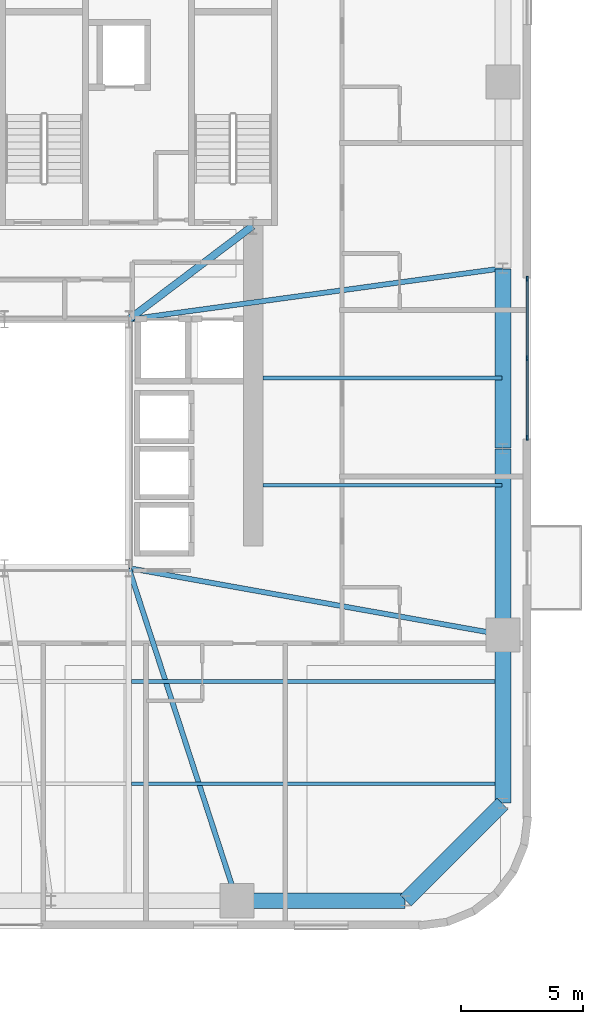
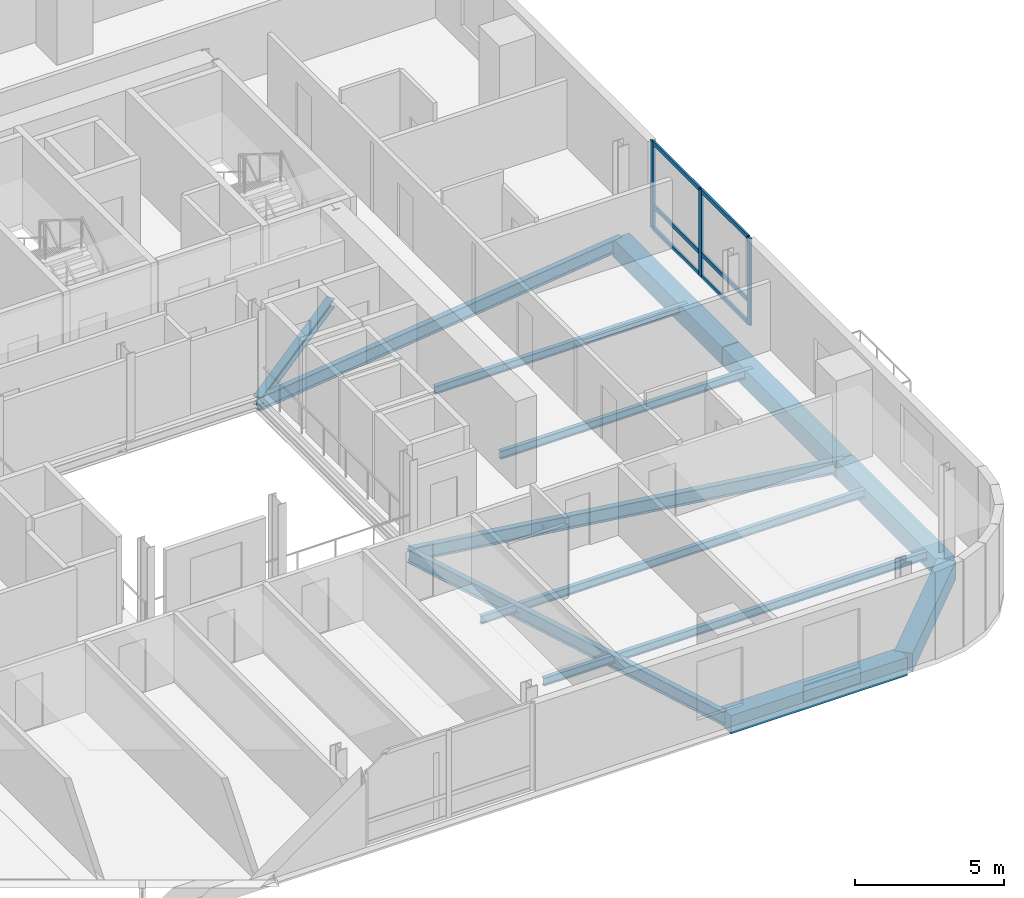
# One storey, part 4 of 14: 13 beams, 9 members, 1 element without a shape of its own.
"""IFC4 building model written with IfcOpenShell, lengths in metres."""

from ifc_helpers import new_model, si_unit, direction, frame, origin, origin_2d, place, context, subcontext, project, spatial, rectangle, i_section, extrude, source, transform, mapped, material, material_profile, profile_set, type_object, element, aggregate, save


model = new_model("IFC4")

# Units and contexts
model_context = context("Model", 3, precision=1e-05, world=origin(), true_north=direction((0.0, 1.0)))
body_context = subcontext(model_context, "Body", "Model", "MODEL_VIEW")
ifc_project = project(units=[si_unit("LENGTHUNIT", "METRE"), si_unit("AREAUNIT", "SQUARE_METRE"), si_unit("VOLUMEUNIT", "CUBIC_METRE"), si_unit("PLANEANGLEUNIT", "RADIAN"), si_unit("MASSUNIT", "GRAM", prefix="KILO")], contexts=[model_context])

# Site, building, storey
site_placement = place(None, origin())
site = spatial("IfcSite", under=ifc_project, at=site_placement, CompositionType="ELEMENT")
building_placement = place(site_placement, origin())
building = spatial("IfcBuilding", under=site, at=building_placement, Name="Vardaveli Station Tower", CompositionType="ELEMENT")
storey_placement = place(building_placement, frame((0.0, 0.0, 177.199951171875)))
storey = spatial("IfcBuildingStorey", under=building, at=storey_placement, Name="L45", CompositionType="ELEMENT", Elevation=177.199951171875)

# Beams
ifc_material_1 = material(Name="Structural steel S355J2", Category="steel")
ifc_material_profile_1 = material_profile(ifc_material_1, i_section(OverallWidth=0.300048828125, OverallDepth=0.360107421875, WebThickness=0.012451171875, FlangeThickness=0.0224609375, FilletRadius=0.027099609375, at=origin_2d()), Name="HEB 360")
ifc_profile_set_1 = profile_set([ifc_material_profile_1], Name="Structural steel S355J2")
beam_type_1 = type_object("IfcBeamType", Name="BM-HEB360", PredefinedType="BEAM", material=ifc_profile_set_1)
shared_shape_1 = source(origin(), body_context, "Body", "SweptSolid", [
    extrude(i_section(OverallWidth=0.300048828125, OverallDepth=0.360107421875, WebThickness=0.012451171875, FlangeThickness=0.0224609375, FilletRadius=0.027099609375, at=origin_2d()), origin(), (0.0, 0.0, 1.0), 6.35009765625),
])
beam_1_placement = place(storey_placement, frame((41.416015625, 26.81201171875, -0.39990234375), z_axis=(0.798118337722, 0.602500721154, 0.0), x_axis=(-0.602500721154, 0.798118337722, 0.0)))
element("IfcBeam", 1, at=beam_1_placement, inside=storey, type_object=beam_type_1, Name="CBM-L45-02", PredefinedType="BEAM", context=body_context, shape_type="MappedRepresentation", body=[
    mapped(shared_shape_1, transform((0.0, 0.0, 0.0), scale=1.0)),
])
ifc_material_2 = material(Name="Precast concrete C45/55", Category="concrete")
ifc_material_profile_2 = material_profile(ifc_material_2, rectangle(XDim=0.64990234375, YDim=0.75, at=origin_2d()), Name="LPB 650x750")
ifc_profile_set_2 = profile_set([ifc_material_profile_2], Name="Precast concrete C45/55")
beam_type_2 = type_object("IfcBeamType", Name="BM-LPB-750", PredefinedType="BEAM", material=ifc_profile_set_2)
shared_shape_2 = source(origin(), body_context, "Body", "SweptSolid", [
    extrude(rectangle(XDim=0.64990234375, YDim=0.75, at=origin_2d()), origin(), (0.0, 0.0, 1.0), 7.60009765625),
])
beam_2_placement = place(storey_placement, frame((56.75, 13.8798828125, -0.594970703125), z_axis=(0.0, 1.0, 0.0), x_axis=(-1.0, 0.0, 0.0)))
element("IfcBeam", 2, at=beam_2_placement, inside=storey, type_object=beam_type_2, Name="RBM-L45-07", PredefinedType="BEAM", context=body_context, shape_type="MappedRepresentation", body=[
    mapped(shared_shape_2, transform((0.0, 0.0, 0.0), scale=1.0)),
])
shared_shape_3 = source(origin(), body_context, "Body", "SweptSolid", [
    extrude(rectangle(XDim=0.64990234375, YDim=0.75, at=origin_2d()), origin(), (0.0, 0.0, 1.0), 7.35986328125),
])
beam_3_placement = place(storey_placement, frame((56.75, 21.52001953125, -0.594970703125), z_axis=(0.0, 1.0, 0.0), x_axis=(-1.0, 0.0, 0.0)))
element("IfcBeam", 3, at=beam_3_placement, inside=storey, type_object=beam_type_2, Name="RBM-L45-08", PredefinedType="BEAM", context=body_context, shape_type="MappedRepresentation", body=[
    mapped(shared_shape_3, transform((0.0, 0.0, 0.0), scale=1.0)),
])
shared_shape_4 = source(origin(), body_context, "Body", "SweptSolid", [
    extrude(rectangle(XDim=0.64990234375, YDim=0.75, at=origin_2d()), origin(), (0.0, 0.0, 1.0), 6.869873046875),
])
beam_4_placement = place(storey_placement, frame((45.860107421875, 2.949951171875, -0.594970703125), z_axis=(1.0, 0.0, 0.0), x_axis=(0.0, 1.0, 0.0)))
element("IfcBeam", 4, at=beam_4_placement, inside=storey, type_object=beam_type_2, Name="RBM-L45-04", PredefinedType="BEAM", context=body_context, shape_type="MappedRepresentation", body=[
    mapped(shared_shape_4, transform((0.0, 0.0, 0.0), scale=1.0)),
])
shared_shape_5 = source(origin(), body_context, "Body", "SweptSolid", [
    extrude(rectangle(XDim=0.64990234375, YDim=0.75, at=origin_2d()), origin(), (0.0, 0.0, 1.0), 5.61669921875),
])
beam_5_placement = place(storey_placement, frame((52.76416015625, 2.964111328125, -0.594970703125), z_axis=(0.707106781187, 0.707106781187, 0.0), x_axis=(-0.707106781187, 0.707106781187, 0.0)))
element("IfcBeam", 5, at=beam_5_placement, inside=storey, type_object=beam_type_2, Name="RBM-L45-05", PredefinedType="BEAM", context=body_context, shape_type="MappedRepresentation", body=[
    mapped(shared_shape_5, transform((0.0, 0.0, 0.0), scale=1.0)),
])
shared_shape_6 = source(origin(), body_context, "Body", "SweptSolid", [
    extrude(rectangle(XDim=0.64990234375, YDim=0.75, at=origin_2d()), origin(), (0.0, 0.0, 1.0), 6.8701171875),
])
beam_6_placement = place(storey_placement, frame((56.75, 6.969970703125, -0.594970703125), z_axis=(0.0, 1.0, 0.0), x_axis=(-1.0, 0.0, 0.0)))
element("IfcBeam", 6, at=beam_6_placement, inside=storey, type_object=beam_type_2, Name="RBM-L45-06", PredefinedType="BEAM", context=body_context, shape_type="MappedRepresentation", body=[
    mapped(shared_shape_6, transform((0.0, 0.0, 0.0), scale=1.0)),
])
ifc_material_profile_3 = material_profile(ifc_material_1, i_section(OverallWidth=0.159912109375, OverallDepth=0.330078125, WebThickness=0.007568359375, FlangeThickness=0.011474609375, FilletRadius=0.01806640625, at=origin_2d()), Name="IPE 330")
ifc_profile_set_3 = profile_set([ifc_material_profile_3], Name="Structural steel S355J2")
beam_type_3 = type_object("IfcBeamType", Name="BM-IPE330", PredefinedType="JOIST", material=ifc_profile_set_3)
shared_shape_7 = source(origin(), body_context, "Body", "SweptSolid", [
    extrude(i_section(OverallWidth=0.159912109375, OverallDepth=0.330078125, WebThickness=0.007568359375, FlangeThickness=0.011474609375, FilletRadius=0.01806640625, at=origin_2d()), origin(), (0.0, 0.0, 1.0), 15.197998046875),
])
for number, where, z_axis, x_axis, name in (
    (7, (41.511962890625, 7.75, -0.385009765625), (1.0, 0.0, 0.0), (0.0, 1.0, 0.0), "SJ-L45-S02"),
    (8, (41.511962890625, 11.949951171875, -0.385009765625), (1.0, 0.0, 0.0), (0.0, 1.0, 0.0), "SJ-L45-S04"),
):
    element("IfcBeam", number, at=place(storey_placement, frame(where, z_axis=z_axis, x_axis=x_axis)), inside=storey, type_object=beam_type_3, Name=name, PredefinedType="JOIST", context=body_context, shape_type="MappedRepresentation", body=[
        mapped(shared_shape_7, transform((0.0, 0.0, 0.0), scale=1.0)),
    ])
shared_shape_8 = source(origin(), body_context, "Body", "SweptSolid", [
    extrude(i_section(OverallWidth=0.159912109375, OverallDepth=0.330078125, WebThickness=0.007568359375, FlangeThickness=0.011474609375, FilletRadius=0.01806640625, at=origin_2d()), origin(), (0.0, 0.0, 1.0), 9.804931640625),
])
for number, where, z_axis, x_axis, name in (
    (9, (46.905029296875, 20.0, -0.385009765625), (1.0, 0.0, 0.0), (0.0, 1.0, 0.0), "SJ-L45-E07"),
    (10, (46.905029296875, 24.39990234375, -0.385009765625), (1.0, 0.0, 0.0), (0.0, 1.0, 0.0), "SJ-L45-E08"),
):
    element("IfcBeam", number, at=place(storey_placement, frame(where, z_axis=z_axis, x_axis=x_axis)), inside=storey, type_object=beam_type_3, Name=name, PredefinedType="JOIST", context=body_context, shape_type="MappedRepresentation", body=[
        mapped(shared_shape_8, transform((0.0, 0.0, 0.0), scale=1.0)),
    ])
ifc_material_profile_4 = material_profile(ifc_material_1, i_section(OverallWidth=0.2099609375, OverallDepth=0.550048828125, WebThickness=0.010986328125, FlangeThickness=0.01708984375, FilletRadius=0.02392578125, at=origin_2d()), Name="IPE 550")
ifc_profile_set_4 = profile_set([ifc_material_profile_4], Name="Structural steel S355J2")
beam_type_4 = type_object("IfcBeamType", Name="BM-IPE550", PredefinedType="BEAM", material=ifc_profile_set_4)
shared_shape_9 = source(origin(), body_context, "Body", "SweptSolid", [
    extrude(i_section(OverallWidth=0.2099609375, OverallDepth=0.550048828125, WebThickness=0.010986328125, FlangeThickness=0.01708984375, FilletRadius=0.02392578125, at=origin_2d()), origin(), (0.0, 0.0, 1.0), 14.31396484375),
])
beam_7_placement = place(storey_placement, frame((45.833740234375, 2.968994140625, -0.494873046875), z_axis=(-0.309311678023, 0.950960717295, 0.0), x_axis=(-0.950960717295, -0.309311678023, 0.0)))
element("IfcBeam", 11, at=beam_7_placement, inside=storey, type_object=beam_type_4, Name="GBM-L45-04", PredefinedType="BEAM", context=body_context, shape_type="MappedRepresentation", body=[
    mapped(shared_shape_9, transform((0.0, 0.0, 0.0), scale=1.0)),
])
shared_shape_10 = source(origin(), body_context, "Body", "SweptSolid", [
    extrude(i_section(OverallWidth=0.2099609375, OverallDepth=0.550048828125, WebThickness=0.010986328125, FlangeThickness=0.01708984375, FilletRadius=0.02392578125, at=origin_2d()), origin(), (0.0, 0.0, 1.0), 15.552490234375),
])
beam_8_placement = place(storey_placement, frame((56.730224609375, 13.863525390625, -0.494873046875), z_axis=(-0.984439991578, 0.1757210943, 0.0), x_axis=(-0.1757210943, -0.984439991578, 0.0)))
element("IfcBeam", 12, at=beam_8_placement, inside=storey, type_object=beam_type_4, Name="GBM-L45-05", PredefinedType="BEAM", context=body_context, shape_type="MappedRepresentation", body=[
    mapped(shared_shape_10, transform((0.0, 0.0, 0.0), scale=1.0)),
])
shared_shape_11 = source(origin(), body_context, "Body", "SweptSolid", [
    extrude(i_section(OverallWidth=0.2099609375, OverallDepth=0.550048828125, WebThickness=0.010986328125, FlangeThickness=0.01708984375, FilletRadius=0.02392578125, at=origin_2d()), origin(), (0.0, 0.0, 1.0), 15.452880859375),
])
beam_9_placement = place(storey_placement, frame((56.730224609375, 28.897216796875, -0.494873046875), z_axis=(-0.99077191151, -0.135539733521, 0.0), x_axis=(0.135539733521, -0.99077191151, 0.0)))
element("IfcBeam", 13, at=beam_9_placement, inside=storey, type_object=beam_type_4, Name="GBM-L45-07", PredefinedType="BEAM", context=body_context, shape_type="MappedRepresentation", body=[
    mapped(shared_shape_11, transform((0.0, 0.0, 0.0), scale=1.0)),
])

# Curtain wall, members
ifc_material_3 = material(Name="Travertine stone and solar-control glass", Category="masonry")
curtain_wall_type = type_object("IfcCurtainWallType", Name="CW-SYS-5", PredefinedType="NOTDEFINED", material=ifc_material_3)
curtain_wall_placement = place(storey_placement, origin())
curtain_wall = element("IfcCurtainWall", 14, at=curtain_wall_placement, inside=storey, type_object=curtain_wall_type, Name="CW-L45-E", PredefinedType="NOTDEFINED")
ifc_material_4 = material(Name="Anodised aluminium alloy 6063-T6", Category="aluminium")
ifc_material_profile_5 = material_profile(ifc_material_4, rectangle(XDim=0.080078125, YDim=0.205078125, at=origin_2d()), Name="CWM 80x205")
ifc_profile_set_5 = profile_set([ifc_material_profile_5], Name="Anodised aluminium alloy 6063-T6")
member_type_1 = type_object("IfcMemberType", Name="CW-SYS-5-MULL", PredefinedType="MULLION", material=ifc_profile_set_5)
shared_shape_12 = source(origin(), body_context, "Body", "SweptSolid", [
    extrude(rectangle(XDim=0.080078125, YDim=0.205078125, at=origin_2d()), origin(), (0.0, 0.0, 1.0), 3.580078125),
])
member_1_placement = place(storey_placement, frame((57.739990234375, 21.93994140625, 0.0), z_axis=(0.0, 0.0, 1.0), x_axis=(-1.0, 0.0, 0.0)))
member_1 = element("IfcMember", 15, at=member_1_placement, type_object=member_type_1, Name="CW-5 mullion 1", PredefinedType="MULLION", context=body_context, shape_type="MappedRepresentation", body=[
    mapped(shared_shape_12, transform((0.0, 0.0, 0.0), scale=1.0)),
])
member_2_placement = place(storey_placement, frame((57.739990234375, 25.199951171875, 0.0), z_axis=(0.0, 0.0, 1.0), x_axis=(-1.0, 0.0, 0.0)))
member_2 = element("IfcMember", 16, at=member_2_placement, type_object=member_type_1, Name="CW-5 mullion 2", PredefinedType="MULLION", context=body_context, shape_type="MappedRepresentation", body=[
    mapped(shared_shape_12, transform((0.0, 0.0, 0.0), scale=1.0)),
])
member_3_placement = place(storey_placement, frame((57.739990234375, 28.4599609375, 0.0), z_axis=(0.0, 0.0, 1.0), x_axis=(-1.0, 0.0, 0.0)))
member_3 = element("IfcMember", 17, at=member_3_placement, type_object=member_type_1, Name="CW-5 mullion 3", PredefinedType="MULLION", context=body_context, shape_type="MappedRepresentation", body=[
    mapped(shared_shape_12, transform((0.0, 0.0, 0.0), scale=1.0)),
])
ifc_material_profile_6 = material_profile(ifc_material_4, rectangle(XDim=0.080078125, YDim=0.1650390625, at=origin_2d()), Name="CWT 80x165")
ifc_profile_set_6 = profile_set([ifc_material_profile_6], Name="Anodised aluminium alloy 6063-T6")
member_type_2 = type_object("IfcMemberType", Name="CW-SYS-5-TRAN", PredefinedType="NOTDEFINED", material=ifc_profile_set_6)
shared_shape_13 = source(origin(), body_context, "Body", "SweptSolid", [
    extrude(rectangle(XDim=0.080078125, YDim=0.1650390625, at=origin_2d()), origin(), (0.0, 0.0, 1.0), 3.179931640625),
])
member_4_placement = place(storey_placement, frame((57.739990234375, 21.97998046875, 0.0400390625), z_axis=(0.0, 1.0, 0.0), x_axis=(-1.0, 0.0, 0.0)))
member_4 = element("IfcMember", 18, at=member_4_placement, type_object=member_type_2, Name="CW-5 transom 1.1", ObjectType="TRANSOM", PredefinedType="USERDEFINED", context=body_context, shape_type="MappedRepresentation", body=[
    mapped(shared_shape_13, transform((0.0, 0.0, 0.0), scale=1.0)),
])
member_5_placement = place(storey_placement, frame((57.739990234375, 21.97998046875, 0.949951171875), z_axis=(0.0, 1.0, 0.0), x_axis=(-1.0, 0.0, 0.0)))
member_5 = element("IfcMember", 19, at=member_5_placement, type_object=member_type_2, Name="CW-5 transom 1.2", ObjectType="TRANSOM", PredefinedType="USERDEFINED", context=body_context, shape_type="MappedRepresentation", body=[
    mapped(shared_shape_13, transform((0.0, 0.0, 0.0), scale=1.0)),
])
member_6_placement = place(storey_placement, frame((57.739990234375, 21.97998046875, 3.5400390625), z_axis=(0.0, 1.0, 0.0), x_axis=(-1.0, 0.0, 0.0)))
member_6 = element("IfcMember", 20, at=member_6_placement, type_object=member_type_2, Name="CW-5 transom 1.3", ObjectType="TRANSOM", PredefinedType="USERDEFINED", context=body_context, shape_type="MappedRepresentation", body=[
    mapped(shared_shape_13, transform((0.0, 0.0, 0.0), scale=1.0)),
])
member_7_placement = place(storey_placement, frame((57.739990234375, 25.239990234375, 0.0400390625), z_axis=(0.0, 1.0, 0.0), x_axis=(-1.0, 0.0, 0.0)))
member_7 = element("IfcMember", 21, at=member_7_placement, type_object=member_type_2, Name="CW-5 transom 2.1", ObjectType="TRANSOM", PredefinedType="USERDEFINED", context=body_context, shape_type="MappedRepresentation", body=[
    mapped(shared_shape_13, transform((0.0, 0.0, 0.0), scale=1.0)),
])
member_8_placement = place(storey_placement, frame((57.739990234375, 25.239990234375, 0.949951171875), z_axis=(0.0, 1.0, 0.0), x_axis=(-1.0, 0.0, 0.0)))
member_8 = element("IfcMember", 22, at=member_8_placement, type_object=member_type_2, Name="CW-5 transom 2.2", ObjectType="TRANSOM", PredefinedType="USERDEFINED", context=body_context, shape_type="MappedRepresentation", body=[
    mapped(shared_shape_13, transform((0.0, 0.0, 0.0), scale=1.0)),
])
member_9_placement = place(storey_placement, frame((57.739990234375, 25.239990234375, 3.5400390625), z_axis=(0.0, 1.0, 0.0), x_axis=(-1.0, 0.0, 0.0)))
member_9 = element("IfcMember", 23, at=member_9_placement, type_object=member_type_2, Name="CW-5 transom 2.3", ObjectType="TRANSOM", PredefinedType="USERDEFINED", context=body_context, shape_type="MappedRepresentation", body=[
    mapped(shared_shape_13, transform((0.0, 0.0, 0.0), scale=1.0)),
])
aggregate(curtain_wall, [member_1, member_2, member_3, member_4, member_5, member_6, member_7, member_8, member_9])

save(model, "model.ifc")
